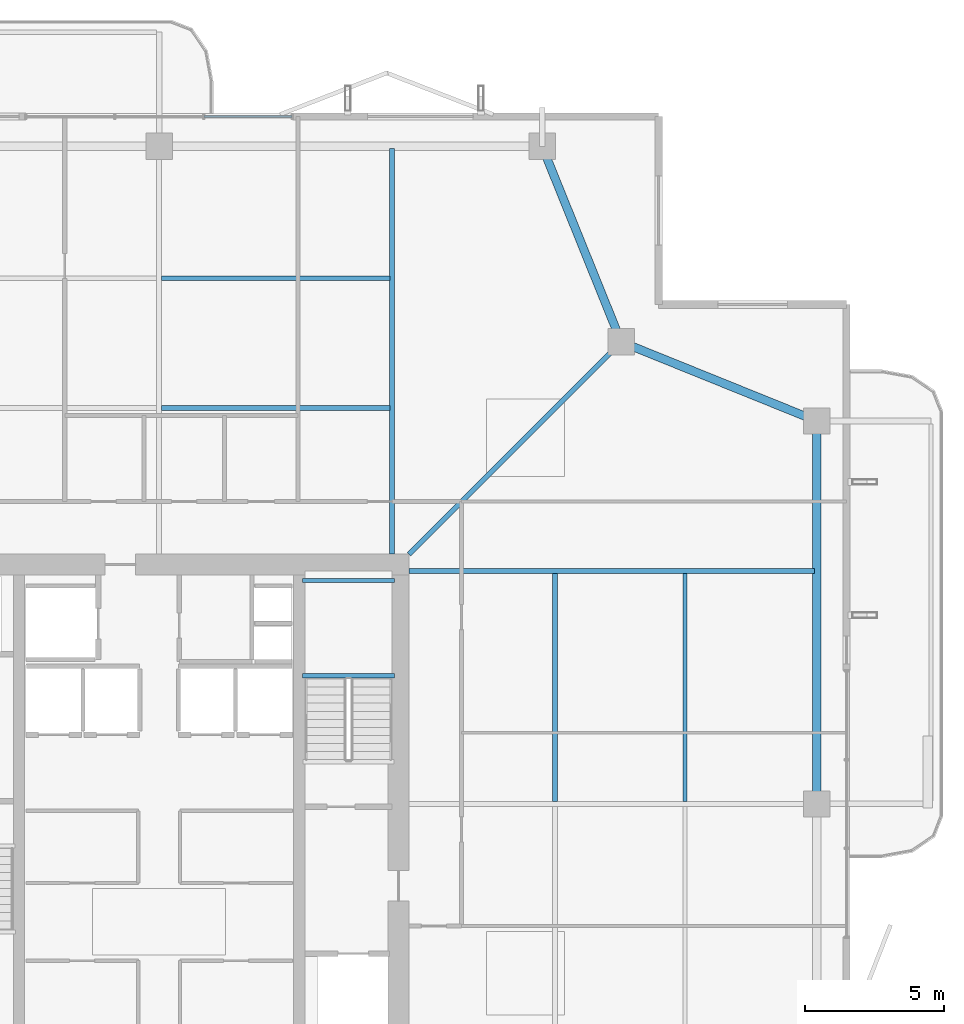
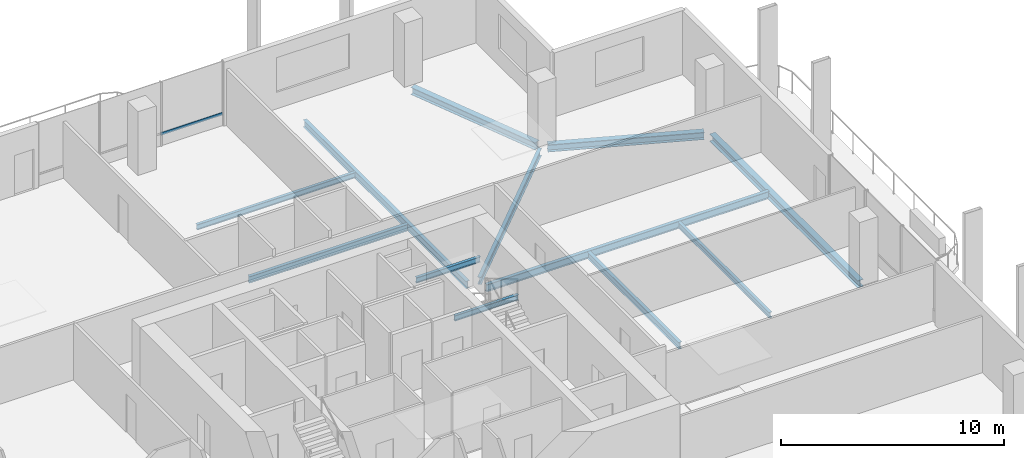
# One storey, part 14 of 25: 12 beams, 1 member, 1 element without a shape of its own.
"""IFC4 building model written with IfcOpenShell, lengths in metres."""

from ifc_helpers import new_model, si_unit, direction, frame, origin, origin_2d, place, context, subcontext, project, spatial, hollow_rectangle, i_section, extrude, material, layer, layer_set, material_profile, profile_set, type_object, element, aggregate, save


model = new_model("IFC4")

# Units and contexts
model_context = context("Model", 3, precision=1e-05, world=origin(), true_north=direction((0.0, 1.0)))
body_context = subcontext(model_context, "Body", "Model", "MODEL_VIEW")
ifc_project = project(units=[si_unit("LENGTHUNIT", "METRE"), si_unit("AREAUNIT", "SQUARE_METRE"), si_unit("VOLUMEUNIT", "CUBIC_METRE"), si_unit("PLANEANGLEUNIT", "RADIAN"), si_unit("MASSUNIT", "GRAM", prefix="KILO")], contexts=[model_context])

# Site, building, storey
site_placement = place(None, origin())
site = spatial("IfcSite", under=ifc_project, at=site_placement, CompositionType="ELEMENT")
building_placement = place(site_placement, origin())
building = spatial("IfcBuilding", under=site, at=building_placement, Name="Belovzor Exchange Tower", CompositionType="ELEMENT")
storey_placement = place(building_placement, frame((0.0, 0.0, 272.85009765625)))
storey = spatial("IfcBuildingStorey", under=building, at=storey_placement, Name="L68", CompositionType="ELEMENT", Elevation=272.85009765625)

# Beams
ifc_material_1 = material(Name="Steel S355", Category="steel")
ifc_material_profile_1 = material_profile(ifc_material_1, i_section(OverallWidth=0.169921875, OverallDepth=0.360107421875, WebThickness=0.008056640625, FlangeThickness=0.0126953125, at=origin_2d()))
ifc_profile_set_1 = profile_set([ifc_material_profile_1], Name="Steel S355")
beam_type_1 = type_object("IfcBeamType", Name="Secondary Infill Floor Joist IPE 360", PredefinedType="BEAM", material=ifc_profile_set_1)
for number, where, z_axis, x_axis, name in (
    (1, (28.889892578125, 43.06494140625, -0.43017578125), (1.0, 0.0, 0.0), (0.0, 1.0, 0.0), "FJ-360 Secondary Infill Floor Joist IPE 360"),
    (2, (43.06494140625, 28.889892578125, -0.43017578125), (0.0, 1.0, 0.0), (-1.0, 0.0, 0.0), "FJ-360 Secondary Infill Floor Joist IPE 360"),
):
    element("IfcBeam", number, at=place(storey_placement, frame(where, z_axis=z_axis, x_axis=x_axis)), inside=storey, type_object=beam_type_1, Name=name, PredefinedType="BEAM", context=body_context, shape_type="SweptSolid", body=[
        extrude(i_section(OverallWidth=0.169921875, OverallDepth=0.360107421875, WebThickness=0.008056640625, FlangeThickness=0.0126953125, at=origin_2d()), origin(), (0.0, 0.0, 1.0), 8.22021484375),
    ])
ifc_material_2 = material(Name="Steel S355", Category="steel")
ifc_material_profile_2 = material_profile(ifc_material_2, i_section(OverallWidth=0.14990234375, OverallDepth=0.300048828125, WebThickness=0.007080078125, FlangeThickness=0.0107421875, at=origin_2d()))
ifc_profile_set_2 = profile_set([ifc_material_profile_2], Name="Steel S355")
beam_type_2 = type_object("IfcBeamType", Name="Secondary Trim Floor Joist IPE 300", PredefinedType="BEAM", material=ifc_profile_set_2)
for number, where, z_axis, x_axis, name in (
    (3, (37.280029296875, 33.419921875, 1.52490234375), (-1.0, 0.0, 0.0), (0.0, -1.0, 0.0), "FJ-300 Secondary Trim Floor Joist IPE 300"),
    (4, (37.280029296875, 36.85009765625, 1.52490234375), (-1.0, 0.0, 0.0), (0.0, -1.0, 0.0), "FJ-300 Secondary Trim Floor Joist IPE 300"),
):
    element("IfcBeam", number, at=place(storey_placement, frame(where, z_axis=z_axis, x_axis=x_axis)), inside=storey, type_object=beam_type_2, Name=name, PredefinedType="BEAM", context=body_context, shape_type="SweptSolid", body=[
        extrude(i_section(OverallWidth=0.14990234375, OverallDepth=0.300048828125, WebThickness=0.007080078125, FlangeThickness=0.0107421875, at=origin_2d()), origin(), (0.0, 0.0, 1.0), 3.31005859375),
    ])
for number, where, z_axis, x_axis, name in (
    (5, (28.889892578125, 47.7451171875, -0.400146484375), (1.0, 0.0, 0.0), (0.0, 1.0, 0.0), "FJ-300 Secondary Trim Floor Joist IPE 300"),
    (6, (47.7451171875, 28.889892578125, -0.400146484375), (0.0, 1.0, 0.0), (-1.0, 0.0, 0.0), "FJ-300 Secondary Trim Floor Joist IPE 300"),
):
    element("IfcBeam", number, at=place(storey_placement, frame(where, z_axis=z_axis, x_axis=x_axis)), inside=storey, type_object=beam_type_2, Name=name, PredefinedType="BEAM", context=body_context, shape_type="SweptSolid", body=[
        extrude(i_section(OverallWidth=0.14990234375, OverallDepth=0.300048828125, WebThickness=0.007080078125, FlangeThickness=0.0107421875, at=origin_2d()), origin(), (0.0, 0.0, 1.0), 8.22021484375),
    ])

# Curtain wall, member
ifc_material_3 = material(Name="Anodised Aluminium Framing", Category="aluminium")
ifc_layer = layer(ifc_material_3, 0.179931640625)
ifc_layer_set = layer_set([ifc_layer], Name="Anodised Aluminium Framing")
curtain_wall_type = type_object("IfcCurtainWallType", Name="Recessed Loggia Low-Iron Triple-Glazed Curtain Wall", PredefinedType="NOTDEFINED", material=ifc_layer_set)
curtain_wall_placement = place(storey_placement, origin())
curtain_wall = element("IfcCurtainWall", 7, at=curtain_wall_placement, inside=storey, type_object=curtain_wall_type, Name="CW3 Recessed Loggia Low-Iron Triple-Glazed Curtain Wall L68", PredefinedType="NOTDEFINED")
ifc_material_4 = material(Name="Steel S355", Category="steel")
ifc_material_profile_3 = material_profile(ifc_material_4, hollow_rectangle(XDim=0.06005859375, YDim=0.14990234375, WallThickness=0.00390625, at=origin_2d()))
ifc_profile_set_3 = profile_set([ifc_material_profile_3], Name="Steel S355")
member_type = type_object("IfcMemberType", Name="Thermally Broken Curtain Wall Transom 150x60", PredefinedType="USERDEFINED", material=ifc_profile_set_3)
member_placement = place(storey_placement, frame((30.407958984375, 53.570068359375, 0.6298828125), z_axis=(1.0, 0.0, 0.0), x_axis=(0.0, 1.0, 0.0)))
member = element("IfcMember", 8, at=member_placement, type_object=member_type, Name="CW-T150 Curtain Wall Transom 3", ObjectType="TRANSOM", PredefinedType="USERDEFINED", context=body_context, shape_type="SweptSolid", body=[
    extrude(hollow_rectangle(XDim=0.06005859375, YDim=0.14990234375, WallThickness=0.00390625, at=origin_2d()), origin(), (0.0, 0.0, 1.0), 3.18408203125),
])
aggregate(curtain_wall, [member])

# Beams
ifc_material_5 = material(Name="Steel S355", Category="steel")
ifc_material_profile_4 = material_profile(ifc_material_5, i_section(OverallWidth=0.300048828125, OverallDepth=0.39990234375, WebThickness=0.013427734375, FlangeThickness=0.02392578125, at=origin_2d()))
ifc_profile_set_4 = profile_set([ifc_material_profile_4], Name="Steel S355")
beam_type_3 = type_object("IfcBeamType", Name="Zone 5 Primary Girder HEB 400", PredefinedType="BEAM", material=ifc_profile_set_4)
beam_1_placement = place(storey_placement, frame((52.5, 29.06103515625, -0.4501953125), z_axis=(0.0, 1.0, 0.0), x_axis=(-1.0, 0.0, 0.0)))
element("IfcBeam", 9, at=beam_1_placement, inside=storey, type_object=beam_type_3, Name="FG-Z5 Zone 5 Primary Girder HEB 400", PredefinedType="BEAM", context=body_context, shape_type="SweptSolid", body=[
    extrude(i_section(OverallWidth=0.300048828125, OverallDepth=0.39990234375, WebThickness=0.013427734375, FlangeThickness=0.02392578125, at=origin_2d()), origin(), (0.0, 0.0, 1.0), 13.278076171875),
])
for number, where, z_axis, x_axis, name in (
    (10, (52.258056640625, 42.697998046875, -0.4501953125), (-0.927127394661, 0.374746306278, 0.0), (-0.374746306278, -0.927127394661, 0.0), "FG-Z5 Zone 5 Primary Girder HEB 400"),
    (11, (45.35205078125, 45.69189453125, -0.4501953125), (-0.374746306278, 0.927127394661, 0.0), (-0.927127394661, -0.374746306278, 0.0), "FG-Z5 Zone 5 Primary Girder HEB 400"),
):
    element("IfcBeam", number, at=place(storey_placement, frame(where, z_axis=z_axis, x_axis=x_axis)), inside=storey, type_object=beam_type_3, Name=name, PredefinedType="BEAM", context=body_context, shape_type="SweptSolid", body=[
        extrude(i_section(OverallWidth=0.300048828125, OverallDepth=0.39990234375, WebThickness=0.013427734375, FlangeThickness=0.02392578125, at=origin_2d()), origin(), (0.0, 0.0, 1.0), 7.082275390625),
    ])
ifc_material_6 = material(Name="Steel S355", Category="steel")
ifc_material_profile_5 = material_profile(ifc_material_6, i_section(OverallWidth=0.179931640625, OverallDepth=0.39990234375, WebThickness=0.008544921875, FlangeThickness=0.013427734375, at=origin_2d()))
ifc_profile_set_5 = profile_set([ifc_material_profile_5], Name="Steel S355")
beam_type_4 = type_object("IfcBeamType", Name="Zone 5-6 Radial Composite Floor Beam IPE 400", PredefinedType="BEAM", material=ifc_profile_set_5)
for number, where, z_axis, x_axis, name in (
    (12, (37.199951171875, 37.800048828125, -0.4501953125), (0.0, 1.0, 0.0), (-1.0, 0.0, 0.0), "FB-400 Zone 5-6 Radial Composite Floor Beam IPE 400"),
    (13, (37.800048828125, 37.199951171875, -0.4501953125), (1.0, 0.0, 0.0), (0.0, 1.0, 0.0), "FB-400 Zone 5-6 Radial Composite Floor Beam IPE 400"),
):
    element("IfcBeam", number, at=place(storey_placement, frame(where, z_axis=z_axis, x_axis=x_axis)), inside=storey, type_object=beam_type_4, Name=name, PredefinedType="BEAM", context=body_context, shape_type="SweptSolid", body=[
        extrude(i_section(OverallWidth=0.179931640625, OverallDepth=0.39990234375, WebThickness=0.008544921875, FlangeThickness=0.013427734375, at=origin_2d()), origin(), (0.0, 0.0, 1.0), 14.625),
    ])
beam_2_placement = place(storey_placement, frame((37.800048828125, 37.800048828125, -0.4501953125), z_axis=(0.707106781187, 0.707106781187, 0.0), x_axis=(-0.707106781187, 0.707106781187, 0.0)))
element("IfcBeam", 14, at=beam_2_placement, inside=storey, type_object=beam_type_4, Name="FB-400 Zone 5-6 Radial Composite Floor Beam IPE 400", PredefinedType="BEAM", context=body_context, shape_type="SweptSolid", body=[
    extrude(i_section(OverallWidth=0.179931640625, OverallDepth=0.39990234375, WebThickness=0.008544921875, FlangeThickness=0.013427734375, at=origin_2d()), origin(), (0.0, 0.0, 1.0), 10.4833984375),
])

save(model, "model.ifc")
